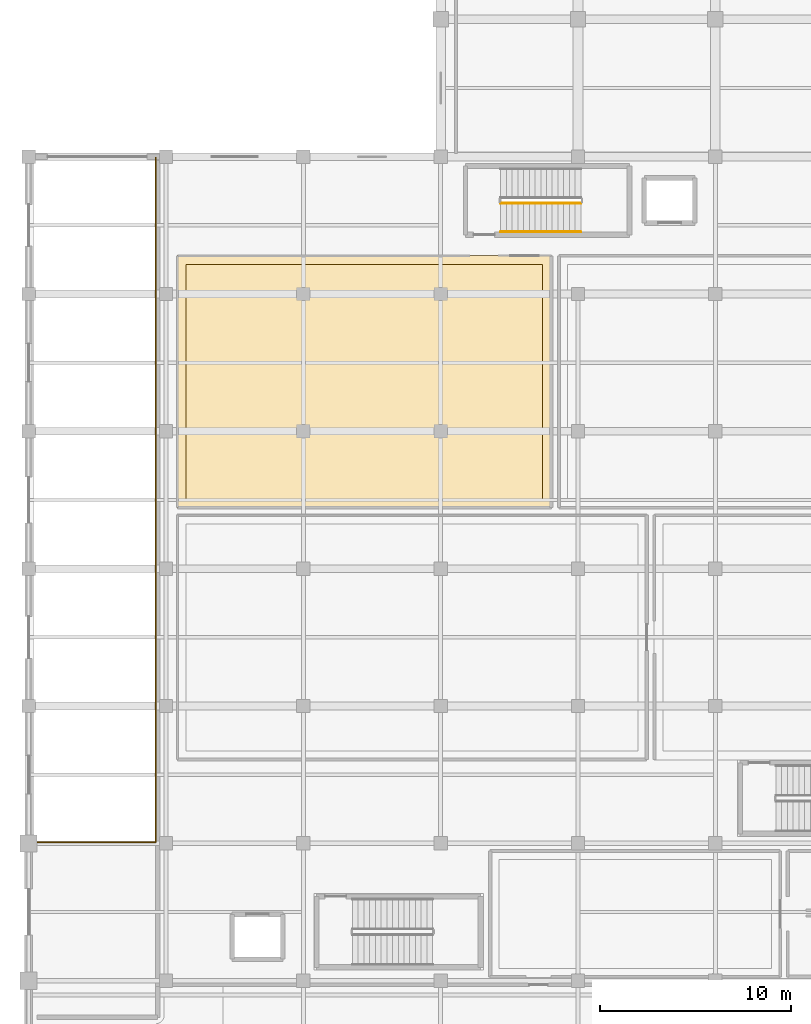
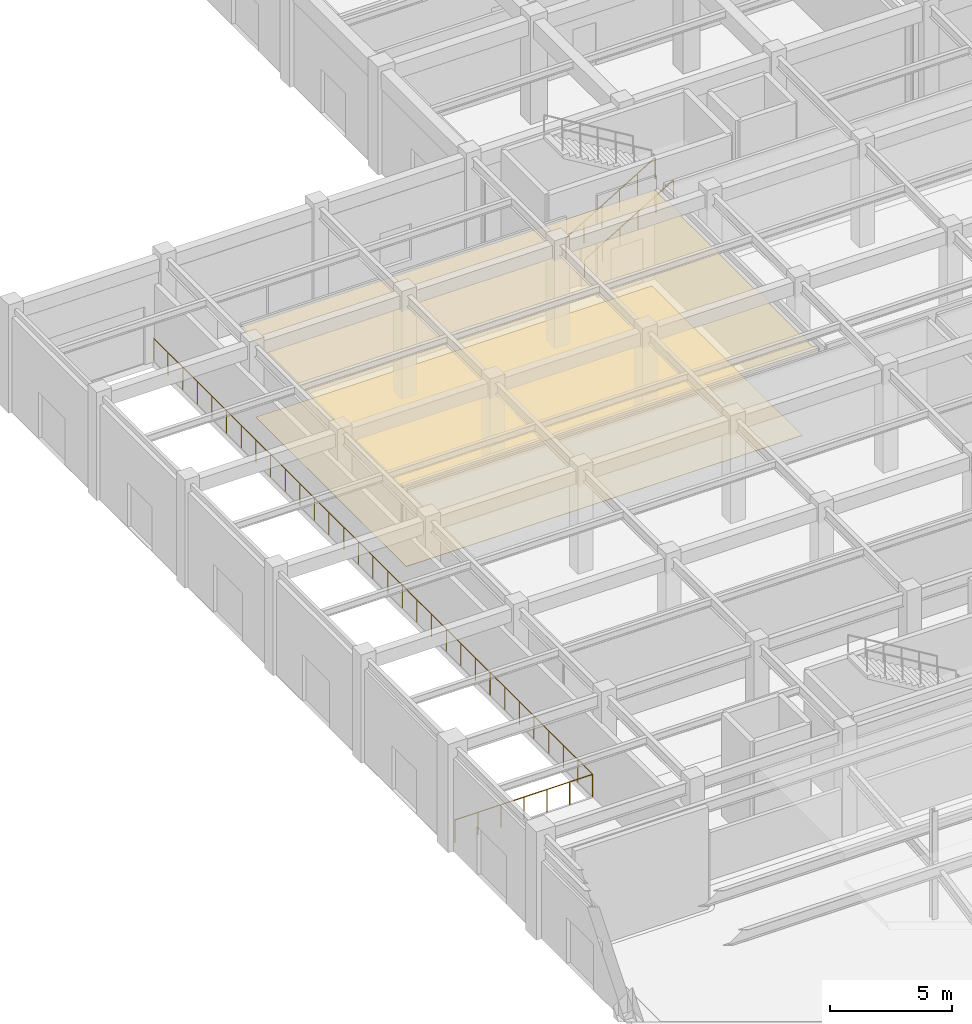
# One storey, part 92 of 102: 3 railings, 2 coverings.
"""IFC4 building model written with IfcOpenShell, lengths in metres."""

from ifc_helpers import new_model, si_unit, direction, frame, origin, origin_2d, place, context, subcontext, project, spatial, polyline, circle, outline, extrude, material, layer, layer_set, type_object, element, save


model = new_model("IFC4")

# Units and contexts
model_context = context("Model", 3, precision=1e-05, world=origin(), true_north=direction((0.0, 1.0)))
body_context = subcontext(model_context, "Body", "Model", "MODEL_VIEW")
ifc_project = project(units=[si_unit("LENGTHUNIT", "METRE"), si_unit("AREAUNIT", "SQUARE_METRE"), si_unit("VOLUMEUNIT", "CUBIC_METRE"), si_unit("PLANEANGLEUNIT", "RADIAN"), si_unit("MASSUNIT", "GRAM", prefix="KILO")], contexts=[model_context])

# Site, building, storey
site_placement = place(None, origin())
site = spatial("IfcSite", under=ifc_project, at=site_placement, CompositionType="ELEMENT")
building_placement = place(site_placement, origin())
building = spatial("IfcBuilding", under=site, at=building_placement, Name="Carrowvane Square Congress Hotel", CompositionType="ELEMENT")
storey_placement = place(building_placement, origin())
storey = spatial("IfcBuildingStorey", under=building, at=storey_placement, Name="L00", CompositionType="ELEMENT", Elevation=0.0)

# Coverings
ifc_material_1 = material(Name="Acoustic gypsum board", Category="gypsum")
ifc_layer_1 = layer(ifc_material_1, 0.014892578125)
ifc_layer_set_1 = layer_set([ifc_layer_1], Name="Acoustic gypsum board")
covering_type_1 = type_object("IfcCoveringType", Name="COV-CLG-AC15", PredefinedType="CEILING", material=ifc_layer_set_1)
covering_1_placement = place(storey_placement, frame((0.0, 0.0, 4.3701171875)))
element("IfcCovering", 1, at=covering_1_placement, inside=storey, type_object=covering_type_1, Name="L00 Spa Male Changing and Lockers acoustic ceiling", PredefinedType="CEILING", context=body_context, shape_type="SweptSolid", body=[
    extrude(outline(polyline([(19.394287109375, 86.619140625), (19.39599609375, 86.61962890625), (19.39794921875, 86.619873046875), (19.39990234375, 86.6201171875), (39.0, 86.6201171875), (39.001953125, 86.619873046875), (39.00390625, 86.61962890625), (39.005859375, 86.619140625), (39.0078125, 86.618408203125), (39.009521484375, 86.61767578125), (39.010986328125, 86.61669921875), (39.0126953125, 86.615478515625), (39.01416015625, 86.614013671875), (39.015380859375, 86.61279296875), (39.0166015625, 86.611083984375), (39.017578125, 86.609375), (39.0185546875, 86.607666015625), (39.01904296875, 86.605712890625), (39.01953125, 86.60400390625), (39.02001953125, 86.60205078125), (39.02001953125, 86.60009765625), (39.02001953125, 73.39990234375), (39.02001953125, 73.39794921875), (39.01953125, 73.39599609375), (39.01904296875, 73.394287109375), (39.0185546875, 73.392333984375), (39.017578125, 73.390625), (39.0166015625, 73.388916015625), (39.015380859375, 73.38720703125), (39.01416015625, 73.385986328125), (39.0126953125, 73.384521484375), (39.010986328125, 73.38330078125), (39.009521484375, 73.38232421875), (39.0078125, 73.381591796875), (39.005859375, 73.380859375), (39.00390625, 73.38037109375), (39.001953125, 73.380126953125), (39.0, 73.3798828125), (19.39990234375, 73.3798828125), (19.39794921875, 73.380126953125), (19.39599609375, 73.38037109375), (19.394287109375, 73.380859375), (19.392333984375, 73.381591796875), (19.390625, 73.38232421875), (19.388916015625, 73.38330078125), (19.38720703125, 73.384521484375), (19.385986328125, 73.385986328125), (19.384521484375, 73.38720703125), (19.38330078125, 73.388916015625), (19.38232421875, 73.390625), (19.381591796875, 73.392333984375), (19.380859375, 73.394287109375), (19.38037109375, 73.39599609375), (19.380126953125, 73.39794921875), (19.3798828125, 73.39990234375), (19.3798828125, 86.60009765625), (19.380126953125, 86.60205078125), (19.38037109375, 86.60400390625), (19.380859375, 86.605712890625), (19.381591796875, 86.607666015625), (19.38232421875, 86.609375), (19.38330078125, 86.611083984375), (19.384521484375, 86.61279296875), (19.385986328125, 86.614013671875), (19.38720703125, 86.615478515625), (19.388916015625, 86.61669921875), (19.390625, 86.61767578125), (19.392333984375, 86.618408203125), (19.394287109375, 86.619140625)])), origin(), (0.0, 0.0, 1.0), 0.014892578125),
])
ifc_material_2 = material(Name="European oak timber", Category="wood")
ifc_layer_2 = layer(ifc_material_2, 0.01806640625)
ifc_layer_set_2 = layer_set([ifc_layer_2], Name="European oak timber")
covering_type_2 = type_object("IfcCoveringType", Name="COV-FLR-OAK18", PredefinedType="FLOORING", material=ifc_layer_set_2)
covering_2_placement = place(storey_placement, origin())
element("IfcCovering", 2, at=covering_2_placement, inside=storey, type_object=covering_type_2, Name="L00 Spa Male Changing and Lockers floor finish", PredefinedType="FLOORING", context=body_context, shape_type="SweptSolid", body=[
    extrude(outline(polyline([(38.550048828125, 86.14990234375), (38.550048828125, 73.85009765625), (19.85009765625, 73.85009765625), (19.85009765625, 86.14990234375), (38.550048828125, 86.14990234375)])), origin(), (0.0, 0.0, 1.0), 0.01806640625),
])

# Railings
ifc_material_3 = material(Name="Stainless steel 316", Category="steel")
ifc_layer_3 = layer(ifc_material_3, 0.06494140625)
ifc_layer_set_3 = layer_set([ifc_layer_3], Name="Stainless steel 316")
railing_type_1 = type_object("IfcRailingType", Name="RLG-BAL-STL1150", PredefinedType="BALUSTRADE", material=ifc_layer_set_3)
railing_1_placement = place(storey_placement, frame((11.75, 55.85009765625, 0.0)))
element("IfcRailing", 3, at=railing_1_placement, inside=storey, type_object=railing_type_1, Name="L00 perimeter gallery edge guard RLG-EDGE-L00-RMP", PredefinedType="BALUSTRADE", context=body_context, shape_type="SweptSolid", body=[
    extrude(circle(Radius=0.02392578125, at=origin_2d()), frame((0.0, 0.0, 1.1259765625), z_axis=(1.0, 0.0, 0.0), x_axis=(0.0, 1.0, 0.0)), (0.0, 0.0, 1.0), 6.510009765625),
    extrude(circle(Radius=0.02392578125, at=origin_2d()), frame((6.510009765625, 0.0, 1.1259765625), z_axis=(0.0, 1.0, 0.0), x_axis=(-1.0, 0.0, 0.0)), (0.0, 0.0, 1.0), 35.89990234375),
    extrude(circle(Radius=0.02099609375, at=origin_2d()), origin(), (0.0, 0.0, 1.0), 1.101806640625),
    extrude(circle(Radius=0.02099609375, at=origin_2d()), frame((1.0849609375, 0.0, 0.0)), (0.0, 0.0, 1.0), 1.101806640625),
    extrude(circle(Radius=0.02099609375, at=origin_2d()), frame((2.169921875, 0.0, 0.0)), (0.0, 0.0, 1.0), 1.101806640625),
    extrude(circle(Radius=0.02099609375, at=origin_2d()), frame((3.2548828125, 0.0, 0.0)), (0.0, 0.0, 1.0), 1.101806640625),
    extrude(circle(Radius=0.02099609375, at=origin_2d()), frame((4.340087890625, 0.0, 0.0)), (0.0, 0.0, 1.0), 1.101806640625),
    extrude(circle(Radius=0.02099609375, at=origin_2d()), frame((5.425048828125, 0.0, 0.0)), (0.0, 0.0, 1.0), 1.101806640625),
    extrude(circle(Radius=0.02099609375, at=origin_2d()), frame((6.510009765625, 0.0, 0.0)), (0.0, 0.0, 1.0), 1.101806640625),
    extrude(circle(Radius=0.02099609375, at=origin_2d()), frame((6.510009765625, 1.19677734375, 0.0)), (0.0, 0.0, 1.0), 1.101806640625),
    extrude(circle(Radius=0.02099609375, at=origin_2d()), frame((6.510009765625, 2.393310546875, 0.0)), (0.0, 0.0, 1.0), 1.101806640625),
    extrude(circle(Radius=0.02099609375, at=origin_2d()), frame((6.510009765625, 3.590087890625, 0.0)), (0.0, 0.0, 1.0), 1.101806640625),
    extrude(circle(Radius=0.02099609375, at=origin_2d()), frame((6.510009765625, 4.78662109375, 0.0)), (0.0, 0.0, 1.0), 1.101806640625),
    extrude(circle(Radius=0.02099609375, at=origin_2d()), frame((6.510009765625, 5.9833984375, 0.0)), (0.0, 0.0, 1.0), 1.101806640625),
    extrude(circle(Radius=0.02099609375, at=origin_2d()), frame((6.510009765625, 7.179931640625, 0.0)), (0.0, 0.0, 1.0), 1.101806640625),
    extrude(circle(Radius=0.02099609375, at=origin_2d()), frame((6.510009765625, 8.376708984375, 0.0)), (0.0, 0.0, 1.0), 1.101806640625),
    extrude(circle(Radius=0.02099609375, at=origin_2d()), frame((6.510009765625, 9.5732421875, 0.0)), (0.0, 0.0, 1.0), 1.101806640625),
    extrude(circle(Radius=0.02099609375, at=origin_2d()), frame((6.510009765625, 10.77001953125, 0.0)), (0.0, 0.0, 1.0), 1.101806640625),
    extrude(circle(Radius=0.02099609375, at=origin_2d()), frame((6.510009765625, 11.966552734375, 0.0)), (0.0, 0.0, 1.0), 1.101806640625),
    extrude(circle(Radius=0.02099609375, at=origin_2d()), frame((6.510009765625, 13.163330078125, 0.0)), (0.0, 0.0, 1.0), 1.101806640625),
    extrude(circle(Radius=0.02099609375, at=origin_2d()), frame((6.510009765625, 14.35986328125, 0.0)), (0.0, 0.0, 1.0), 1.101806640625),
    extrude(circle(Radius=0.02099609375, at=origin_2d()), frame((6.510009765625, 15.556640625, 0.0)), (0.0, 0.0, 1.0), 1.101806640625),
    extrude(circle(Radius=0.02099609375, at=origin_2d()), frame((6.510009765625, 16.753173828125, 0.0)), (0.0, 0.0, 1.0), 1.101806640625),
    extrude(circle(Radius=0.02099609375, at=origin_2d()), frame((6.510009765625, 17.949951171875, 0.0)), (0.0, 0.0, 1.0), 1.101806640625),
    extrude(circle(Radius=0.02099609375, at=origin_2d()), frame((6.510009765625, 19.146728515625, 0.0)), (0.0, 0.0, 1.0), 1.101806640625),
    extrude(circle(Radius=0.02099609375, at=origin_2d()), frame((6.510009765625, 20.34326171875, 0.0)), (0.0, 0.0, 1.0), 1.101806640625),
    extrude(circle(Radius=0.02099609375, at=origin_2d()), frame((6.510009765625, 21.5400390625, 0.0)), (0.0, 0.0, 1.0), 1.101806640625),
    extrude(circle(Radius=0.02099609375, at=origin_2d()), frame((6.510009765625, 22.736572265625, 0.0)), (0.0, 0.0, 1.0), 1.101806640625),
    extrude(circle(Radius=0.02099609375, at=origin_2d()), frame((6.510009765625, 23.933349609375, 0.0)), (0.0, 0.0, 1.0), 1.101806640625),
    extrude(circle(Radius=0.02099609375, at=origin_2d()), frame((6.510009765625, 25.1298828125, 0.0)), (0.0, 0.0, 1.0), 1.101806640625),
    extrude(circle(Radius=0.02099609375, at=origin_2d()), frame((6.510009765625, 26.32666015625, 0.0)), (0.0, 0.0, 1.0), 1.101806640625),
    extrude(circle(Radius=0.02099609375, at=origin_2d()), frame((6.510009765625, 27.523193359375, 0.0)), (0.0, 0.0, 1.0), 1.101806640625),
    extrude(circle(Radius=0.02099609375, at=origin_2d()), frame((6.510009765625, 28.719970703125, 0.0)), (0.0, 0.0, 1.0), 1.101806640625),
    extrude(circle(Radius=0.02099609375, at=origin_2d()), frame((6.510009765625, 29.91650390625, 0.0)), (0.0, 0.0, 1.0), 1.101806640625),
    extrude(circle(Radius=0.02099609375, at=origin_2d()), frame((6.510009765625, 31.11328125, 0.0)), (0.0, 0.0, 1.0), 1.101806640625),
    extrude(circle(Radius=0.02099609375, at=origin_2d()), frame((6.510009765625, 32.309814453125, 0.0)), (0.0, 0.0, 1.0), 1.101806640625),
    extrude(circle(Radius=0.02099609375, at=origin_2d()), frame((6.510009765625, 33.506591796875, 0.0)), (0.0, 0.0, 1.0), 1.101806640625),
    extrude(circle(Radius=0.02099609375, at=origin_2d()), frame((6.510009765625, 34.703125, 0.0)), (0.0, 0.0, 1.0), 1.101806640625),
    extrude(circle(Radius=0.02099609375, at=origin_2d()), frame((6.510009765625, 35.89990234375, 0.0)), (0.0, 0.0, 1.0), 1.101806640625),
])
ifc_material_4 = material(Name="Stainless steel 316", Category="steel")
ifc_layer_4 = layer(ifc_material_4, 0.048095703125)
ifc_layer_set_4 = layer_set([ifc_layer_4], Name="Stainless steel 316")
railing_type_2 = type_object("IfcRailingType", Name="RLG-HR-900", PredefinedType="HANDRAIL", material=ifc_layer_set_4)
railing_2_placement = place(storey_placement, frame((36.35009765625, 87.85009765625, 0.179931640625)))
element("IfcRailing", 4, at=railing_2_placement, inside=storey, type_object=railing_type_2, Name="L00 ST5 stair handrail 1", PredefinedType="HANDRAIL", context=body_context, shape_type="SweptSolid", body=[
    extrude(circle(Radius=0.02392578125, at=origin_2d()), frame((0.0, 0.0, 0.8759765625), z_axis=(0.857488527567, 0.0, 0.514503085598), x_axis=(0.0, 1.0, 0.0)), (0.0, 0.0, 1.0), 4.89794921875),
    extrude(circle(Radius=0.02099609375, at=origin_2d()), origin(), (0.0, 0.0, 1.0), 0.851806640625),
    extrude(circle(Radius=0.02099609375, at=origin_2d()), frame((0.840087890625, 0.0, 0.50390625)), (0.0, 0.0, 1.0), 0.851806640625),
    extrude(circle(Radius=0.02099609375, at=origin_2d()), frame((1.679931640625, 0.0, 1.008056640625)), (0.0, 0.0, 1.0), 0.851806640625),
    extrude(circle(Radius=0.02099609375, at=origin_2d()), frame((2.52001953125, 0.0, 1.511962890625)), (0.0, 0.0, 1.0), 0.851806640625),
    extrude(circle(Radius=0.02099609375, at=origin_2d()), frame((3.35986328125, 0.0, 2.01611328125)), (0.0, 0.0, 1.0), 0.851806640625),
    extrude(circle(Radius=0.02099609375, at=origin_2d()), frame((4.199951171875, 0.0, 2.52001953125)), (0.0, 0.0, 1.0), 0.851806640625),
])
ifc_material_5 = material(Name="Galvanised steel", Category="steel")
ifc_layer_5 = layer(ifc_material_5, 0.048095703125)
ifc_layer_set_5 = layer_set([ifc_layer_5], Name="Galvanised steel")
railing_type_3 = type_object("IfcRailingType", Name="RLG-STG-1100", PredefinedType="GUARDRAIL", material=ifc_layer_set_5)
railing_3_placement = place(storey_placement, frame((36.35009765625, 89.35009765625, 0.179931640625)))
element("IfcRailing", 5, at=railing_3_placement, inside=storey, type_object=railing_type_3, Name="L00 ST5 stair guard 1", PredefinedType="GUARDRAIL", context=body_context, shape_type="SweptSolid", body=[
    extrude(circle(Radius=0.02392578125, at=origin_2d()), frame((0.0, 0.0, 1.076171875), z_axis=(0.857488527567, 0.0, 0.514503085598), x_axis=(0.0, 1.0, 0.0)), (0.0, 0.0, 1.0), 4.89794921875),
    extrude(circle(Radius=0.02099609375, at=origin_2d()), origin(), (0.0, 0.0, 1.0), 1.052001953125),
    extrude(circle(Radius=0.02099609375, at=origin_2d()), frame((0.840087890625, 0.0, 0.50390625)), (0.0, 0.0, 1.0), 1.052001953125),
    extrude(circle(Radius=0.02099609375, at=origin_2d()), frame((1.679931640625, 0.0, 1.008056640625)), (0.0, 0.0, 1.0), 1.052001953125),
    extrude(circle(Radius=0.02099609375, at=origin_2d()), frame((2.52001953125, 0.0, 1.511962890625)), (0.0, 0.0, 1.0), 1.052001953125),
    extrude(circle(Radius=0.02099609375, at=origin_2d()), frame((3.35986328125, 0.0, 2.01611328125)), (0.0, 0.0, 1.0), 1.052001953125),
    extrude(circle(Radius=0.02099609375, at=origin_2d()), frame((4.199951171875, 0.0, 2.52001953125)), (0.0, 0.0, 1.0), 1.052001953125),
])

save(model, "model.ifc")
